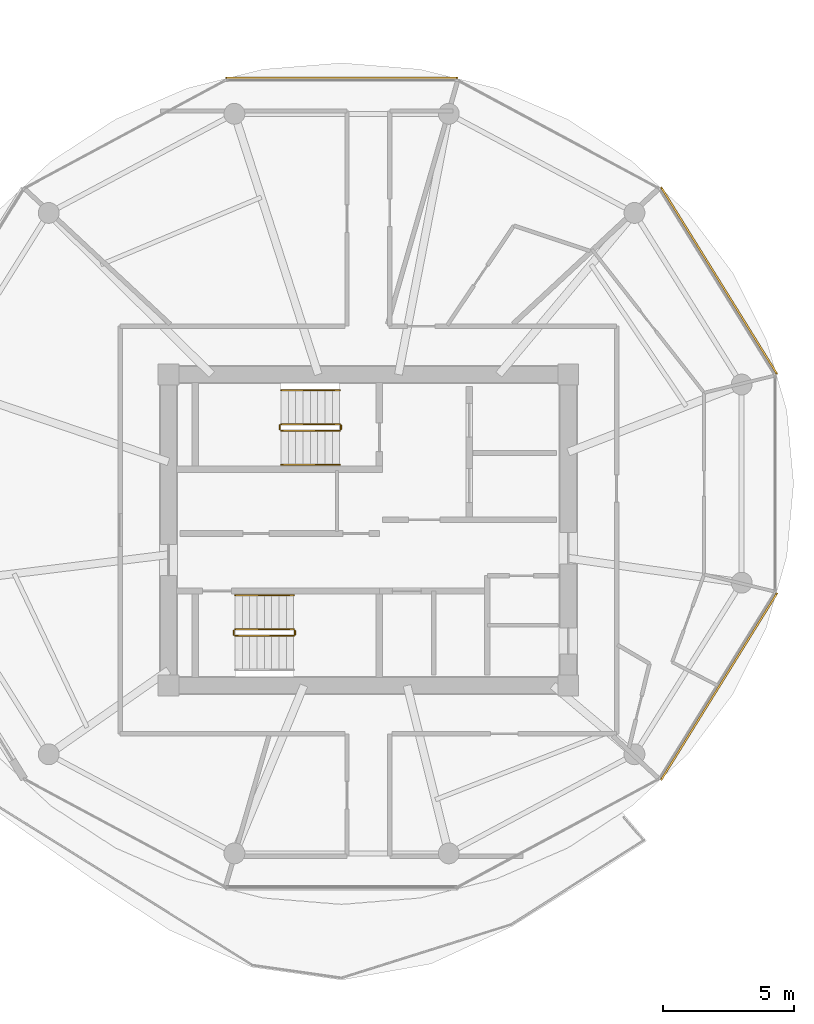
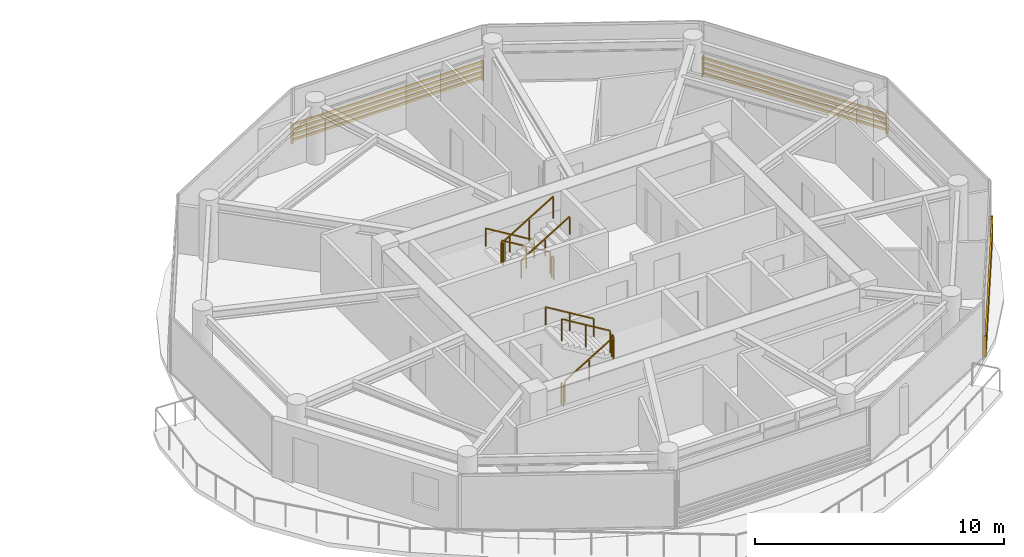
# One storey, part 21 of 21: 11 railings, 3 shading devices.
"""IFC4 building model written with IfcOpenShell, lengths in metres."""

from ifc_helpers import new_model, si_unit, direction, frame, origin, origin_2d, place, context, subcontext, project, spatial, rectangle, extrude, source, transform, mapped, material, type_object, type_shapes, element, save


model = new_model("IFC4")

# Units and contexts
model_context = context("Model", 3, precision=1e-05, world=origin(), true_north=direction((0.0, 1.0)))
body_context = subcontext(model_context, "Body", "Model", "MODEL_VIEW")
ifc_project = project(units=[si_unit("LENGTHUNIT", "METRE"), si_unit("AREAUNIT", "SQUARE_METRE"), si_unit("VOLUMEUNIT", "CUBIC_METRE"), si_unit("PLANEANGLEUNIT", "RADIAN"), si_unit("MASSUNIT", "GRAM", prefix="KILO")], contexts=[model_context])

# Site, building, storey
site_placement = place(None, origin())
site = spatial("IfcSite", under=ifc_project, at=site_placement, CompositionType="ELEMENT")
building_placement = place(site_placement, origin())
building = spatial("IfcBuilding", under=site, at=building_placement, Name="Norrkilde Senior Care Towers", CompositionType="ELEMENT")
storey_placement = place(building_placement, frame((0.0, 0.0, 149.550048828125)))
storey = spatial("IfcBuildingStorey", under=building, at=storey_placement, Name="L46", CompositionType="ELEMENT", Elevation=149.550048828125)

# Railings
ifc_material_1 = material(Name="Stainless Steel", Category="steel")
railing_type_1 = type_object("IfcRailingType", Name="Stair and Terrace Guardrail 1100", PredefinedType="GUARDRAIL", material=ifc_material_1)
railing_1_placement = place(storey_placement, frame((26.89990234375, 4.050048828125, 0.16943359375)))
element("IfcRailing", 1, at=railing_1_placement, inside=storey, type_object=railing_type_1, Name="L46 ST-E1 stair guard 1", PredefinedType="GUARDRAIL", context=body_context, shape_type="SweptSolid", body=[
    extrude(rectangle(XDim=0.048095703125, YDim=0.048095703125, at=origin_2d()), frame((0.0, 0.0, 1.076171875), z_axis=(-0.855553338991, 0.0, 0.51771467445), x_axis=(0.0, -1.0, 0.0)), (0.0, 0.0, 1.0), 2.6181640625),
    extrude(rectangle(XDim=0.0419921875, YDim=0.0419921875, at=origin_2d()), origin(), (0.0, 0.0, 1.0), 1.050048828125),
    extrude(rectangle(XDim=0.0419921875, YDim=0.0419921875, at=origin_2d()), frame((-1.1201171875, 0.0, 0.677734375)), (0.0, 0.0, 1.0), 1.050048828125),
    extrude(rectangle(XDim=0.0419921875, YDim=0.0419921875, at=origin_2d()), frame((-2.239990234375, 0.0, 1.35546875)), (0.0, 0.0, 1.0), 1.050048828125),
])
railing_2_placement = place(storey_placement, frame((24.610107421875, 4.0, 1.52490234375)))
element("IfcRailing", 2, at=railing_2_placement, inside=storey, type_object=railing_type_1, Name="L46 ST-E1 stair guard 2", PredefinedType="GUARDRAIL", context=body_context, shape_type="SweptSolid", body=[
    extrude(rectangle(XDim=0.048095703125, YDim=0.048095703125, at=origin_2d()), frame((0.0, 0.0, 1.076171875), z_axis=(0.0, -1.0, 0.0), x_axis=(1.0, 0.0, 0.0)), (0.0, 0.0, 1.0), 0.14990234375),
    extrude(rectangle(XDim=0.0419921875, YDim=0.0419921875, at=origin_2d()), origin(), (0.0, 0.0, 1.0), 1.050048828125),
    extrude(rectangle(XDim=0.0419921875, YDim=0.0419921875, at=origin_2d()), frame((0.0, -0.14990234375, 0.0)), (0.0, 0.0, 1.0), 1.050048828125),
])
railing_3_placement = place(storey_placement, frame((24.659912109375, 3.800048828125, 1.6943359375)))
element("IfcRailing", 3, at=railing_3_placement, inside=storey, type_object=railing_type_1, Name="L46 ST-E1 stair guard 3", PredefinedType="GUARDRAIL", context=body_context, shape_type="SweptSolid", body=[
    extrude(rectangle(XDim=0.048095703125, YDim=0.048095703125, at=origin_2d()), frame((0.0, 0.0, 1.076171875), z_axis=(0.855512035549, 0.0, 0.517782924622), x_axis=(0.0, 1.0, 0.0)), (0.0, 0.0, 1.0), 2.618408203125),
    extrude(rectangle(XDim=0.0419921875, YDim=0.0419921875, at=origin_2d()), origin(), (0.0, 0.0, 1.0), 1.050048828125),
    extrude(rectangle(XDim=0.0419921875, YDim=0.0419921875, at=origin_2d()), frame((1.1201171875, 0.0, 0.677734375)), (0.0, 0.0, 1.0), 1.050048828125),
    extrude(rectangle(XDim=0.0419921875, YDim=0.0419921875, at=origin_2d()), frame((2.239990234375, 0.0, 1.355712890625)), (0.0, 0.0, 1.0), 1.050048828125),
])
railing_4_placement = place(storey_placement, frame((26.949951171875, 4.0, 0.0)))
element("IfcRailing", 4, at=railing_4_placement, inside=storey, type_object=railing_type_1, Name="L46 ST-E1 stair guard 4", PredefinedType="GUARDRAIL", context=body_context, shape_type="SweptSolid", body=[
    extrude(rectangle(XDim=0.048095703125, YDim=0.048095703125, at=origin_2d()), frame((0.0, 0.0, 1.076171875), z_axis=(0.0, -1.0, 0.0), x_axis=(1.0, 0.0, 0.0)), (0.0, 0.0, 1.0), 0.14990234375),
    extrude(rectangle(XDim=0.0419921875, YDim=0.0419921875, at=origin_2d()), origin(), (0.0, 0.0, 1.0), 1.050048828125),
    extrude(rectangle(XDim=0.0419921875, YDim=0.0419921875, at=origin_2d()), frame((0.0, -0.14990234375, 0.0)), (0.0, 0.0, 1.0), 1.050048828125),
])
railing_5_placement = place(storey_placement, frame((22.89990234375, -4.050048828125, 0.16943359375)))
element("IfcRailing", 5, at=railing_5_placement, inside=storey, type_object=railing_type_1, Name="L46 ST-E2 stair guard 1", PredefinedType="GUARDRAIL", context=body_context, shape_type="SweptSolid", body=[
    extrude(rectangle(XDim=0.048095703125, YDim=0.048095703125, at=origin_2d()), frame((0.0, 0.0, 1.076171875), z_axis=(0.855553338991, 0.0, 0.51771467445), x_axis=(0.0, 1.0, 0.0)), (0.0, 0.0, 1.0), 2.6181640625),
    extrude(rectangle(XDim=0.0419921875, YDim=0.0419921875, at=origin_2d()), origin(), (0.0, 0.0, 1.0), 1.050048828125),
    extrude(rectangle(XDim=0.0419921875, YDim=0.0419921875, at=origin_2d()), frame((1.1201171875, 0.0, 0.677734375)), (0.0, 0.0, 1.0), 1.050048828125),
    extrude(rectangle(XDim=0.0419921875, YDim=0.0419921875, at=origin_2d()), frame((2.239990234375, 0.0, 1.35546875)), (0.0, 0.0, 1.0), 1.050048828125),
])
railing_6_placement = place(storey_placement, frame((25.18994140625, -4.0, 1.52490234375)))
element("IfcRailing", 6, at=railing_6_placement, inside=storey, type_object=railing_type_1, Name="L46 ST-E2 stair guard 2", PredefinedType="GUARDRAIL", context=body_context, shape_type="SweptSolid", body=[
    extrude(rectangle(XDim=0.048095703125, YDim=0.048095703125, at=origin_2d()), frame((0.0, 0.0, 1.076171875), z_axis=(0.0, 1.0, 0.0), x_axis=(-1.0, 0.0, 0.0)), (0.0, 0.0, 1.0), 0.14990234375),
    extrude(rectangle(XDim=0.0419921875, YDim=0.0419921875, at=origin_2d()), origin(), (0.0, 0.0, 1.0), 1.050048828125),
    extrude(rectangle(XDim=0.0419921875, YDim=0.0419921875, at=origin_2d()), frame((0.0, 0.14990234375, 0.0)), (0.0, 0.0, 1.0), 1.050048828125),
])
railing_7_placement = place(storey_placement, frame((25.139892578125, -3.800048828125, 1.6943359375)))
element("IfcRailing", 7, at=railing_7_placement, inside=storey, type_object=railing_type_1, Name="L46 ST-E2 stair guard 3", PredefinedType="GUARDRAIL", context=body_context, shape_type="SweptSolid", body=[
    extrude(rectangle(XDim=0.048095703125, YDim=0.048095703125, at=origin_2d()), frame((0.0, 0.0, 1.076171875), z_axis=(-0.855512035549, 0.0, 0.517782924622), x_axis=(0.0, -1.0, 0.0)), (0.0, 0.0, 1.0), 2.618408203125),
    extrude(rectangle(XDim=0.0419921875, YDim=0.0419921875, at=origin_2d()), origin(), (0.0, 0.0, 1.0), 1.050048828125),
    extrude(rectangle(XDim=0.0419921875, YDim=0.0419921875, at=origin_2d()), frame((-1.1201171875, 0.0, 0.677734375)), (0.0, 0.0, 1.0), 1.050048828125),
    extrude(rectangle(XDim=0.0419921875, YDim=0.0419921875, at=origin_2d()), frame((-2.239990234375, 0.0, 1.355712890625)), (0.0, 0.0, 1.0), 1.050048828125),
])
railing_8_placement = place(storey_placement, frame((22.85009765625, -4.0, 0.0)))
element("IfcRailing", 8, at=railing_8_placement, inside=storey, type_object=railing_type_1, Name="L46 ST-E2 stair guard 4", PredefinedType="GUARDRAIL", context=body_context, shape_type="SweptSolid", body=[
    extrude(rectangle(XDim=0.048095703125, YDim=0.048095703125, at=origin_2d()), frame((0.0, 0.0, 1.076171875), z_axis=(0.0, 1.0, 0.0), x_axis=(-1.0, 0.0, 0.0)), (0.0, 0.0, 1.0), 0.14990234375),
    extrude(rectangle(XDim=0.0419921875, YDim=0.0419921875, at=origin_2d()), origin(), (0.0, 0.0, 1.0), 1.050048828125),
    extrude(rectangle(XDim=0.0419921875, YDim=0.0419921875, at=origin_2d()), frame((0.0, 0.14990234375, 0.0)), (0.0, 0.0, 1.0), 1.050048828125),
])
ifc_material_2 = material(Name="Nordic Ash Timber", Category="wood")
railing_type_2 = type_object("IfcRailingType", Name="Wall and Stair Handrail 900", PredefinedType="HANDRAIL", material=ifc_material_2)
railing_9_placement = place(storey_placement, frame((26.89990234375, 5.35009765625, 0.16943359375)))
element("IfcRailing", 9, at=railing_9_placement, inside=storey, type_object=railing_type_2, Name="L46 ST-E1 stair handrail 1", PredefinedType="HANDRAIL", context=body_context, shape_type="SweptSolid", body=[
    extrude(rectangle(XDim=0.048095703125, YDim=0.048095703125, at=origin_2d()), frame((0.0, 0.0, 0.8759765625), z_axis=(-0.855553338991, 0.0, 0.51771467445), x_axis=(0.0, -1.0, 0.0)), (0.0, 0.0, 1.0), 2.6181640625),
    extrude(rectangle(XDim=0.0419921875, YDim=0.0419921875, at=origin_2d()), origin(), (0.0, 0.0, 1.0), 0.849853515625),
    extrude(rectangle(XDim=0.0419921875, YDim=0.0419921875, at=origin_2d()), frame((-1.1201171875, 0.0, 0.677734375)), (0.0, 0.0, 1.0), 0.849853515625),
    extrude(rectangle(XDim=0.0419921875, YDim=0.0419921875, at=origin_2d()), frame((-2.239990234375, 0.0, 1.35546875)), (0.0, 0.0, 1.0), 0.849853515625),
])
railing_10_placement = place(storey_placement, frame((24.659912109375, 2.5, 1.6943359375)))
element("IfcRailing", 10, at=railing_10_placement, inside=storey, type_object=railing_type_2, Name="L46 ST-E1 stair handrail 2", PredefinedType="HANDRAIL", context=body_context, shape_type="SweptSolid", body=[
    extrude(rectangle(XDim=0.048095703125, YDim=0.048095703125, at=origin_2d()), frame((0.0, 0.0, 0.8759765625), z_axis=(0.855512035549, 0.0, 0.517782924622), x_axis=(0.0, 1.0, 0.0)), (0.0, 0.0, 1.0), 2.618408203125),
    extrude(rectangle(XDim=0.0419921875, YDim=0.0419921875, at=origin_2d()), origin(), (0.0, 0.0, 1.0), 0.849853515625),
    extrude(rectangle(XDim=0.0419921875, YDim=0.0419921875, at=origin_2d()), frame((1.1201171875, 0.0, 0.677734375)), (0.0, 0.0, 1.0), 0.849853515625),
    extrude(rectangle(XDim=0.0419921875, YDim=0.0419921875, at=origin_2d()), frame((2.239990234375, 0.0, 1.355712890625)), (0.0, 0.0, 1.0), 0.849853515625),
])
railing_11_placement = place(storey_placement, frame((25.139892578125, -2.5, 1.6943359375)))
element("IfcRailing", 11, at=railing_11_placement, inside=storey, type_object=railing_type_2, Name="L46 ST-E2 stair handrail 2", PredefinedType="HANDRAIL", context=body_context, shape_type="SweptSolid", body=[
    extrude(rectangle(XDim=0.048095703125, YDim=0.048095703125, at=origin_2d()), frame((0.0, 0.0, 0.8759765625), z_axis=(-0.855512035549, 0.0, 0.517782924622), x_axis=(0.0, -1.0, 0.0)), (0.0, 0.0, 1.0), 2.618408203125),
    extrude(rectangle(XDim=0.0419921875, YDim=0.0419921875, at=origin_2d()), origin(), (0.0, 0.0, 1.0), 0.849853515625),
    extrude(rectangle(XDim=0.0419921875, YDim=0.0419921875, at=origin_2d()), frame((-1.1201171875, 0.0, 0.677734375)), (0.0, 0.0, 1.0), 0.849853515625),
    extrude(rectangle(XDim=0.0419921875, YDim=0.0419921875, at=origin_2d()), frame((-2.239990234375, 0.0, 1.355712890625)), (0.0, 0.0, 1.0), 0.849853515625),
])

# Shading devices
ifc_material_3 = material(Name="Architectural Terracotta", Category="masonry")
shading_device_type = type_object("IfcShadingDeviceType", Name="Horizontal Terracotta Baguette Rack", PredefinedType="USERDEFINED", material=ifc_material_3)
shared_shape_1 = source(origin(), body_context, "Body", "SweptSolid", [
    extrude(rectangle(XDim=0.070068359375, YDim=0.110107421875, at=origin_2d()), frame((0.0, 0.090087890625, 0.125), z_axis=(1.0, 0.0, 0.0), x_axis=(0.0, 1.0, 0.0)), (0.0, 0.0, 1.0), 8.89306640625),
    extrude(rectangle(XDim=0.070068359375, YDim=0.110107421875, at=origin_2d()), frame((0.0, 0.090087890625, 0.375), z_axis=(1.0, 0.0, 0.0), x_axis=(0.0, 1.0, 0.0)), (0.0, 0.0, 1.0), 8.89306640625),
    extrude(rectangle(XDim=0.070068359375, YDim=0.110107421875, at=origin_2d()), frame((0.0, 0.090087890625, 0.625), z_axis=(1.0, 0.0, 0.0), x_axis=(0.0, 1.0, 0.0)), (0.0, 0.0, 1.0), 8.89306640625),
    extrude(rectangle(XDim=0.070068359375, YDim=0.110107421875, at=origin_2d()), frame((0.0, 0.090087890625, 0.875), z_axis=(1.0, 0.0, 0.0), x_axis=(0.0, 1.0, 0.0)), (0.0, 0.0, 1.0), 8.89306640625),
    extrude(rectangle(XDim=0.050048828125, YDim=0.1552734375, at=origin_2d()), frame((0.02490234375, 0.047607421875, 0.0)), (0.0, 0.0, 1.0), 1.0),
    extrude(rectangle(XDim=0.050048828125, YDim=0.1552734375, at=origin_2d()), frame((8.8681640625, 0.047607421875, 0.0)), (0.0, 0.0, 1.0), 1.0),
])
shading_device_placement = place(storey_placement, frame((22.528564453125, 17.2109375, 0.079833984375), z_axis=(0.0, 0.0, 1.0), x_axis=(1.0, 0.0, 0.0)))
element("IfcShadingDevice", 12, at=shading_device_placement, inside=storey, type_object=shading_device_type, Name="L46 Drum E Terracotta Baguette Screen 02", ObjectType="BAGUETTE", PredefinedType="USERDEFINED", context=body_context, shape_type="MappedRepresentation", body=[
    mapped(shared_shape_1, transform((0.0, 0.0, 0.0), x_axis=(1.0, 0.0, 0.0), y_axis=(0.0, 1.0, 0.0), z_axis=(0.0, 0.0, 1.0), scale=1.0)),
])
shared_shape_2 = source(origin(), body_context, "Body", "SweptSolid", [
    extrude(rectangle(XDim=0.070068359375, YDim=0.110107421875, at=origin_2d()), frame((0.0, 0.090087890625, 0.125), z_axis=(1.0, 0.0, 0.0), x_axis=(0.0, 1.0, 0.0)), (0.0, 0.0, 1.0), 8.431396484375),
    extrude(rectangle(XDim=0.070068359375, YDim=0.110107421875, at=origin_2d()), frame((0.0, 0.090087890625, 0.375), z_axis=(1.0, 0.0, 0.0), x_axis=(0.0, 1.0, 0.0)), (0.0, 0.0, 1.0), 8.431396484375),
    extrude(rectangle(XDim=0.070068359375, YDim=0.110107421875, at=origin_2d()), frame((0.0, 0.090087890625, 0.625), z_axis=(1.0, 0.0, 0.0), x_axis=(0.0, 1.0, 0.0)), (0.0, 0.0, 1.0), 8.431396484375),
    extrude(rectangle(XDim=0.070068359375, YDim=0.110107421875, at=origin_2d()), frame((0.0, 0.090087890625, 0.875), z_axis=(1.0, 0.0, 0.0), x_axis=(0.0, 1.0, 0.0)), (0.0, 0.0, 1.0), 8.431396484375),
    extrude(rectangle(XDim=0.050048828125, YDim=0.1552734375, at=origin_2d()), frame((0.02490234375, 0.047607421875, 0.0)), (0.0, 0.0, 1.0), 1.0),
    extrude(rectangle(XDim=0.050048828125, YDim=0.1552734375, at=origin_2d()), frame((8.40625, 0.047607421875, 0.0)), (0.0, 0.0, 1.0), 1.0),
])
type_shapes(shading_device_type, [shared_shape_1, shared_shape_2])
for number, where, z_axis, x_axis, name in (
    (13, (39.123046875, 13.074951171875, 0.079833984375), (0.0, 0.0, 1.0), (0.527378022296, -0.849630809324, 0.0), "L46 Drum E Terracotta Baguette Screen 00"),
    (14, (43.569580078125, -2.360595703125, 0.079833984375), (0.0, 0.0, 1.0), (-0.527378022296, -0.849630809324, 0.0), "L46 Drum E Terracotta Baguette Screen 10"),
):
    element("IfcShadingDevice", number, at=place(storey_placement, frame(where, z_axis=z_axis, x_axis=x_axis)), inside=storey, type_object=shading_device_type, Name=name, ObjectType="BAGUETTE", PredefinedType="USERDEFINED", context=body_context, shape_type="MappedRepresentation", body=[
        mapped(shared_shape_2, transform((0.0, 0.0, 0.0), x_axis=(1.0, 0.0, 0.0), y_axis=(0.0, 1.0, 0.0), z_axis=(0.0, 0.0, 1.0), scale=1.0)),
    ])

save(model, "model.ifc")
